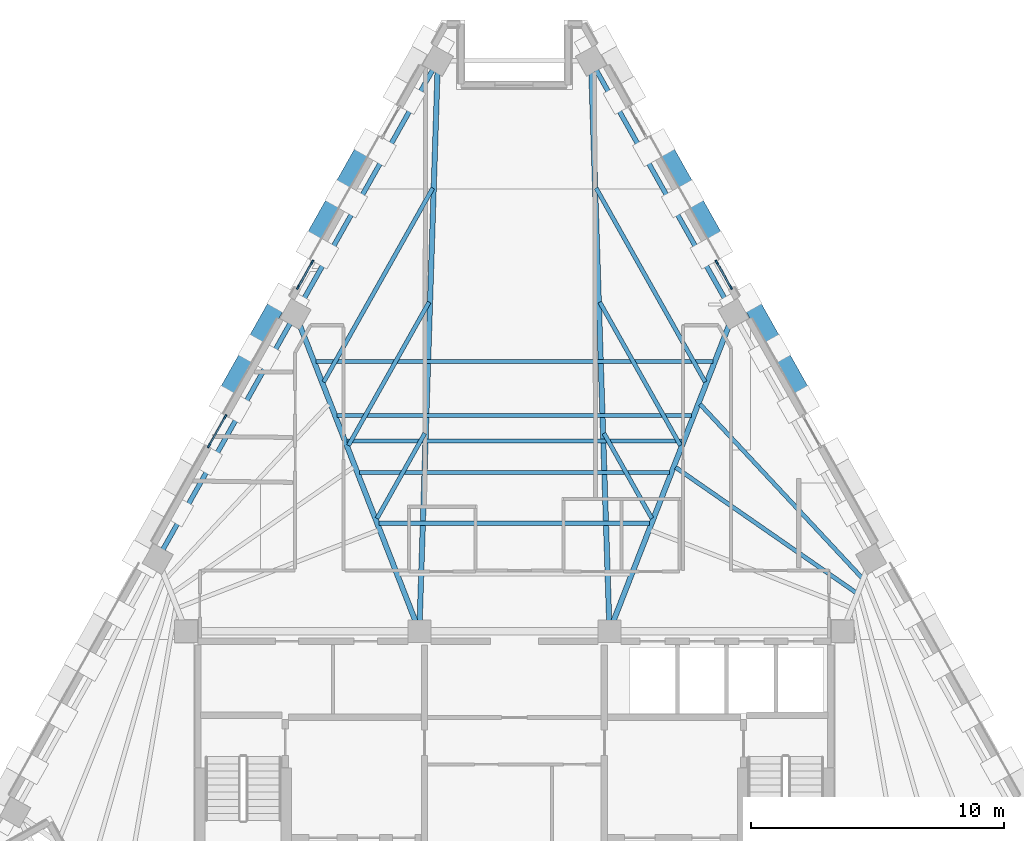
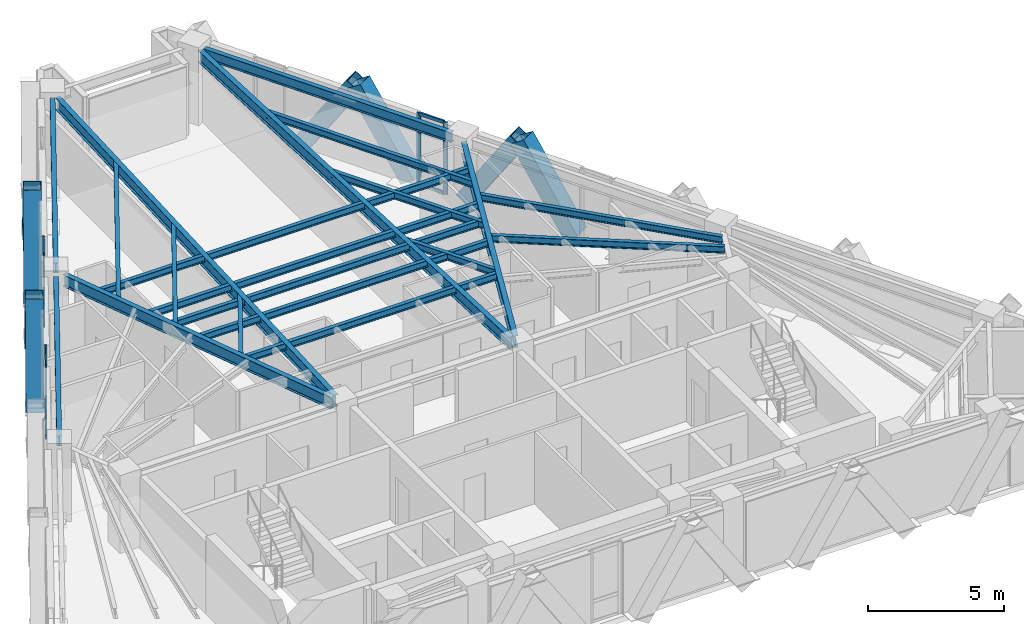
# One storey, part 3 of 12: 23 members, 20 beams, 3 elements without a shape of their own.
"""IFC4 building model written with IfcOpenShell, lengths in metres."""

from ifc_helpers import new_model, si_unit, direction, frame, origin, origin_2d, place, context, subcontext, project, spatial, rectangle, hollow_rectangle, i_section, extrude, material, material_profile, profile_set, type_object, element, aggregate, save


model = new_model("IFC4")

# Units and contexts
model_context = context("Model", 3, precision=1e-05, world=origin(), true_north=direction((0.0, 1.0)))
body_context = subcontext(model_context, "Body", "Model", "MODEL_VIEW")
ifc_project = project(units=[si_unit("LENGTHUNIT", "METRE"), si_unit("AREAUNIT", "SQUARE_METRE"), si_unit("VOLUMEUNIT", "CUBIC_METRE"), si_unit("PLANEANGLEUNIT", "RADIAN"), si_unit("MASSUNIT", "GRAM", prefix="KILO")], contexts=[model_context])

# Site, building, storey
site_placement = place(None, origin())
site = spatial("IfcSite", under=ifc_project, at=site_placement, CompositionType="ELEMENT")
building_placement = place(site_placement, origin())
building = spatial("IfcBuilding", under=site, at=building_placement, Name="Quenlor Broadcast Tower", CompositionType="ELEMENT")
storey_placement = place(building_placement, frame((0.0, 0.0, 197.39990234375)))
storey = spatial("IfcBuildingStorey", under=building, at=storey_placement, Name="L54", CompositionType="ELEMENT", Elevation=197.39990234375)

# Curtain wall, members
ifc_material_1 = material(Name="Architectural Terracotta and Low-E Glazing", Category="masonry")
curtain_wall_type = type_object("IfcCurtainWallType", Name="Unitised Terracotta Curtain Wall System Z4", PredefinedType="NOTDEFINED", material=ifc_material_1)
curtain_wall_1_placement = place(storey_placement, origin())
curtain_wall_1 = element("IfcCurtainWall", 1, at=curtain_wall_1_placement, inside=storey, type_object=curtain_wall_type, Name="L54 Curtain Wall CW4 (L54-NEA-G2)", PredefinedType="NOTDEFINED")
ifc_material_2 = material(Name="Aluminium 6063-T6", Category="aluminium")
ifc_material_profile_1 = material_profile(ifc_material_2, rectangle(XDim=0.068115234375, YDim=0.179931640625, at=origin_2d()))
ifc_profile_set_1 = profile_set([ifc_material_profile_1], Name="Aluminium 6063-T6 MULL68x180")
member_type_1 = type_object("IfcMemberType", Name="CW4 Aluminium Mullion MULL_CW4", PredefinedType="MULLION", material=ifc_profile_set_1)
member_1_placement = place(storey_placement, frame((7.979248046875, 9.755859375, 0.0), z_axis=(0.0, 0.0, 1.0), x_axis=(0.871557755022, 0.490292850918, 0.0)))
member_1 = element("IfcMember", 2, at=member_1_placement, type_object=member_type_1, Name="CW4 mullion 1", PredefinedType="MULLION", context=body_context, shape_type="SweptSolid", body=[
    extrude(rectangle(XDim=0.068115234375, YDim=0.179931640625, at=origin_2d()), origin(), (0.0, 0.0, 1.0), 3.25),
])
member_2_placement = place(storey_placement, frame((8.534912109375, 8.767822265625, 0.0), z_axis=(0.0, 0.0, 1.0), x_axis=(0.871557755022, 0.490292850918, 0.0)))
member_2 = element("IfcMember", 3, at=member_2_placement, type_object=member_type_1, Name="CW4 mullion 2", PredefinedType="MULLION", context=body_context, shape_type="SweptSolid", body=[
    extrude(rectangle(XDim=0.068115234375, YDim=0.179931640625, at=origin_2d()), origin(), (0.0, 0.0, 1.0), 3.25),
])

curtain_wall_2_placement = place(storey_placement, origin())
curtain_wall_2 = element("IfcCurtainWall", 4, at=curtain_wall_2_placement, inside=storey, type_object=curtain_wall_type, Name="L54 Curtain Wall CW4 (L54-NWC-G1)", PredefinedType="NOTDEFINED")
member_3_placement = place(storey_placement, frame((-8.534912109375, 8.767822265625, 0.0), z_axis=(0.0, 0.0, 1.0), x_axis=(-0.871557755022, 0.490292850918, 0.0)))
member_3 = element("IfcMember", 5, at=member_3_placement, type_object=member_type_1, Name="CW4 mullion 1", PredefinedType="MULLION", context=body_context, shape_type="SweptSolid", body=[
    extrude(rectangle(XDim=0.068115234375, YDim=0.179931640625, at=origin_2d()), origin(), (0.0, 0.0, 1.0), 3.25),
])
member_4_placement = place(storey_placement, frame((-7.979248046875, 9.755859375, 0.0), z_axis=(0.0, 0.0, 1.0), x_axis=(-0.871557755022, 0.490292850918, 0.0)))
member_4 = element("IfcMember", 6, at=member_4_placement, type_object=member_type_1, Name="CW4 mullion 2", PredefinedType="MULLION", context=body_context, shape_type="SweptSolid", body=[
    extrude(rectangle(XDim=0.068115234375, YDim=0.179931640625, at=origin_2d()), origin(), (0.0, 0.0, 1.0), 3.25),
])

curtain_wall_3_placement = place(storey_placement, origin())
curtain_wall_3 = element("IfcCurtainWall", 7, at=curtain_wall_3_placement, inside=storey, type_object=curtain_wall_type, Name="L54 Curtain Wall CW4 (L54-NW-G1)", PredefinedType="NOTDEFINED")
member_5_placement = place(storey_placement, frame((-12.049560546875, 2.519775390625, 0.0), z_axis=(0.0, 0.0, 1.0), x_axis=(-0.871560008943, 0.490288844266, 0.0)))
member_5 = element("IfcMember", 8, at=member_5_placement, type_object=member_type_1, Name="CW4 mullion 1", PredefinedType="MULLION", context=body_context, shape_type="SweptSolid", body=[
    extrude(rectangle(XDim=0.068115234375, YDim=0.179931640625, at=origin_2d()), origin(), (0.0, 0.0, 1.0), 3.25),
])
member_6_placement = place(storey_placement, frame((-11.408203125, 3.65966796875, 0.0), z_axis=(0.0, 0.0, 1.0), x_axis=(-0.871560008943, 0.490288844266, 0.0)))
member_6 = element("IfcMember", 9, at=member_6_placement, type_object=member_type_1, Name="CW4 mullion 2", PredefinedType="MULLION", context=body_context, shape_type="SweptSolid", body=[
    extrude(rectangle(XDim=0.068115234375, YDim=0.179931640625, at=origin_2d()), origin(), (0.0, 0.0, 1.0), 3.25),
])

# Member
ifc_material_3 = material(Name="Aluminium 6063-T6", Category="aluminium")
ifc_material_profile_2 = material_profile(ifc_material_3, rectangle(XDim=0.068115234375, YDim=0.14990234375, at=origin_2d()))
ifc_profile_set_2 = profile_set([ifc_material_profile_2], Name="Aluminium 6063-T6 TRAN68x150")
member_type_2 = type_object("IfcMemberType", Name="CW4 Aluminium Transom TRAN_CW4", PredefinedType="USERDEFINED", material=ifc_profile_set_2)
member_7_placement = place(storey_placement, frame((7.995849609375, 9.72607421875, 0.0341796875), z_axis=(0.490304750356, -0.871551060913, 0.0), x_axis=(0.871551060913, 0.490304750356, 0.0)))
member_7 = element("IfcMember", 10, at=member_7_placement, type_object=member_type_2, Name="CW4 transom 1.1", ObjectType="TRANSOM", PredefinedType="USERDEFINED", context=body_context, shape_type="SweptSolid", body=[
    extrude(rectangle(XDim=0.068115234375, YDim=0.14990234375, at=origin_2d()), origin(), (0.0, 0.0, 1.0), 1.065673828125),
])

member_8_placement = place(storey_placement, frame((7.995849609375, 9.72607421875, 0.9501953125), z_axis=(0.490304750356, -0.871551060913, 0.0), x_axis=(0.871551060913, 0.490304750356, 0.0)))
member_8 = element("IfcMember", 11, at=member_8_placement, type_object=member_type_2, Name="CW4 transom 1.2", ObjectType="TRANSOM", PredefinedType="USERDEFINED", context=body_context, shape_type="SweptSolid", body=[
    extrude(rectangle(XDim=0.068115234375, YDim=0.14990234375, at=origin_2d()), origin(), (0.0, 0.0, 1.0), 1.065673828125),
])

member_9_placement = place(storey_placement, frame((7.995849609375, 9.72607421875, 3.216064453125), z_axis=(0.490304750356, -0.871551060913, 0.0), x_axis=(0.871551060913, 0.490304750356, 0.0)))
member_9 = element("IfcMember", 12, at=member_9_placement, type_object=member_type_2, Name="CW4 transom 1.3", ObjectType="TRANSOM", PredefinedType="USERDEFINED", context=body_context, shape_type="SweptSolid", body=[
    extrude(rectangle(XDim=0.068115234375, YDim=0.14990234375, at=origin_2d()), origin(), (0.0, 0.0, 1.0), 1.065673828125),
])

aggregate(curtain_wall_1, [member_1, member_2, member_7, member_8, member_9])

member_10_placement = place(storey_placement, frame((-8.518310546875, 8.79736328125, 0.0341796875), z_axis=(0.490304750356, 0.871551060913, 0.0), x_axis=(-0.871551060913, 0.490304750356, 0.0)))
member_10 = element("IfcMember", 13, at=member_10_placement, type_object=member_type_2, Name="CW4 transom 1.1", ObjectType="TRANSOM", PredefinedType="USERDEFINED", context=body_context, shape_type="SweptSolid", body=[
    extrude(rectangle(XDim=0.068115234375, YDim=0.14990234375, at=origin_2d()), origin(), (0.0, 0.0, 1.0), 1.065673828125),
])

member_11_placement = place(storey_placement, frame((-8.518310546875, 8.79736328125, 0.9501953125), z_axis=(0.490304750356, 0.871551060913, 0.0), x_axis=(-0.871551060913, 0.490304750356, 0.0)))
member_11 = element("IfcMember", 14, at=member_11_placement, type_object=member_type_2, Name="CW4 transom 1.2", ObjectType="TRANSOM", PredefinedType="USERDEFINED", context=body_context, shape_type="SweptSolid", body=[
    extrude(rectangle(XDim=0.068115234375, YDim=0.14990234375, at=origin_2d()), origin(), (0.0, 0.0, 1.0), 1.065673828125),
])

member_12_placement = place(storey_placement, frame((-8.518310546875, 8.79736328125, 3.216064453125), z_axis=(0.490304750356, 0.871551060913, 0.0), x_axis=(-0.871551060913, 0.490304750356, 0.0)))
member_12 = element("IfcMember", 15, at=member_12_placement, type_object=member_type_2, Name="CW4 transom 1.3", ObjectType="TRANSOM", PredefinedType="USERDEFINED", context=body_context, shape_type="SweptSolid", body=[
    extrude(rectangle(XDim=0.068115234375, YDim=0.14990234375, at=origin_2d()), origin(), (0.0, 0.0, 1.0), 1.065673828125),
])

aggregate(curtain_wall_2, [member_3, member_4, member_10, member_11, member_12])

member_13_placement = place(storey_placement, frame((-12.032958984375, 2.54931640625, 0.0341796875), z_axis=(0.490233197009, 0.871591310506, 0.0), x_axis=(-0.871591310506, 0.490233197009, 0.0)))
member_13 = element("IfcMember", 16, at=member_13_placement, type_object=member_type_2, Name="CW4 transom 1.1", ObjectType="TRANSOM", PredefinedType="USERDEFINED", context=body_context, shape_type="SweptSolid", body=[
    extrude(rectangle(XDim=0.068115234375, YDim=0.14990234375, at=origin_2d()), origin(), (0.0, 0.0, 1.0), 1.239990234375),
])

member_14_placement = place(storey_placement, frame((-12.032958984375, 2.54931640625, 0.9501953125), z_axis=(0.490233197009, 0.871591310506, 0.0), x_axis=(-0.871591310506, 0.490233197009, 0.0)))
member_14 = element("IfcMember", 17, at=member_14_placement, type_object=member_type_2, Name="CW4 transom 1.2", ObjectType="TRANSOM", PredefinedType="USERDEFINED", context=body_context, shape_type="SweptSolid", body=[
    extrude(rectangle(XDim=0.068115234375, YDim=0.14990234375, at=origin_2d()), origin(), (0.0, 0.0, 1.0), 1.239990234375),
])

member_15_placement = place(storey_placement, frame((-12.032958984375, 2.54931640625, 3.216064453125), z_axis=(0.490233197009, 0.871591310506, 0.0), x_axis=(-0.871591310506, 0.490233197009, 0.0)))
member_15 = element("IfcMember", 18, at=member_15_placement, type_object=member_type_2, Name="CW4 transom 1.3", ObjectType="TRANSOM", PredefinedType="USERDEFINED", context=body_context, shape_type="SweptSolid", body=[
    extrude(rectangle(XDim=0.068115234375, YDim=0.14990234375, at=origin_2d()), origin(), (0.0, 0.0, 1.0), 1.239990234375),
])

aggregate(curtain_wall_3, [member_5, member_6, member_13, member_14, member_15])

# Members
ifc_material_4 = material(Name="Steel S355", Category="steel")
ifc_material_profile_3 = material_profile(ifc_material_4, hollow_rectangle(XDim=0.679931640625, YDim=0.679931640625, WallThickness=0.02490234375, at=origin_2d()))
ifc_profile_set_3 = profile_set([ifc_material_profile_3], Name="Steel S355 RHS680x680x25")
member_type_3 = type_object("IfcMemberType", Name="Perimeter Diagonal Lattice Brace Z3-Z4 Steel S355 RHS680x25", PredefinedType="BRACE", material=ifc_profile_set_3)
member_16_placement = place(storey_placement, frame((5.79345703125, 14.447509765625, -0.119873046875), z_axis=(0.269485495908, -0.479188912076, 0.835317636614), x_axis=(0.871620820774, 0.490180726664, 0.0)))
element("IfcMember", 19, at=member_16_placement, inside=storey, type_object=member_type_3, Name="L54 Perimeter Diamond Lattice NE-C1S", PredefinedType="BRACE", context=body_context, shape_type="SweptSolid", body=[
    extrude(hollow_rectangle(XDim=0.679931640625, YDim=0.679931640625, WallThickness=0.02490234375, at=origin_2d()), origin(), (0.0, 0.0, 1.0), 4.18994140625),
])
member_17_placement = place(storey_placement, frame((9.222412109375, 8.351318359375, -0.119873046875), z_axis=(0.269539530269, -0.479181387144, 0.835304519224), x_axis=(0.871575537125, 0.490261239633, 0.0)))
element("IfcMember", 20, at=member_17_placement, inside=storey, type_object=member_type_3, Name="L54 Perimeter Diamond Lattice NE-C2S", PredefinedType="BRACE", context=body_context, shape_type="SweptSolid", body=[
    extrude(hollow_rectangle(XDim=0.679931640625, YDim=0.679931640625, WallThickness=0.02490234375, at=origin_2d()), origin(), (0.0, 0.0, 1.0), 4.190185546875),
])
for number, where, z_axis, x_axis, name in (
    (21, (8.065673828125, 10.40771484375, -0.119873046875), (-0.269547055694, 0.479136497832, 0.835327840559), (-0.871550060774, -0.49030652817, 0.0), "L54 Perimeter Diamond Lattice NE-C2B"),
    (22, (11.494873046875, 4.3115234375, -0.119873046875), (-0.269547055694, 0.479136497832, 0.835327840559), (-0.871550060774, -0.49030652817, 0.0), "L54 Perimeter Diamond Lattice NE-C3B"),
    (23, (-11.494873046875, 4.3115234375, -0.119873046875), (0.269547055694, 0.479136497832, 0.835327840559), (-0.871550060774, 0.49030652817, 0.0), "L54 Perimeter Diamond Lattice NW-C3S"),
    (24, (-8.065673828125, 10.40771484375, -0.119873046875), (0.269547055694, 0.479136497832, 0.835327840559), (-0.871550060774, 0.49030652817, 0.0), "L54 Perimeter Diamond Lattice NW-C4S"),
):
    element("IfcMember", number, at=place(storey_placement, frame(where, z_axis=z_axis, x_axis=x_axis)), inside=storey, type_object=member_type_3, Name=name, PredefinedType="BRACE", context=body_context, shape_type="SweptSolid", body=[
        extrude(hollow_rectangle(XDim=0.679931640625, YDim=0.679931640625, WallThickness=0.02490234375, at=origin_2d()), origin(), (0.0, 0.0, 1.0), 4.18994140625),
    ])
member_18_placement = place(storey_placement, frame((-9.222412109375, 8.351318359375, -0.119873046875), z_axis=(-0.269539530269, -0.479181387144, 0.835304519224), x_axis=(0.871575537125, -0.490261239633, 0.0)))
element("IfcMember", 25, at=member_18_placement, inside=storey, type_object=member_type_3, Name="L54 Perimeter Diamond Lattice NW-C4B", PredefinedType="BRACE", context=body_context, shape_type="SweptSolid", body=[
    extrude(hollow_rectangle(XDim=0.679931640625, YDim=0.679931640625, WallThickness=0.02490234375, at=origin_2d()), origin(), (0.0, 0.0, 1.0), 4.190185546875),
])
member_19_placement = place(storey_placement, frame((-5.79345703125, 14.447509765625, -0.119873046875), z_axis=(-0.269485495908, -0.479188912076, 0.835317636614), x_axis=(0.871620820774, -0.490180726664, 0.0)))
element("IfcMember", 26, at=member_19_placement, inside=storey, type_object=member_type_3, Name="L54 Perimeter Diamond Lattice NW-C5B", PredefinedType="BRACE", context=body_context, shape_type="SweptSolid", body=[
    extrude(hollow_rectangle(XDim=0.679931640625, YDim=0.679931640625, WallThickness=0.02490234375, at=origin_2d()), origin(), (0.0, 0.0, 1.0), 4.18994140625),
])

# Beams
ifc_material_5 = material(Name="Steel S355", Category="steel")
ifc_material_profile_4 = material_profile(ifc_material_5, i_section(OverallWidth=0.18994140625, OverallDepth=0.453857421875, WebThickness=0.008544921875, FlangeThickness=0.0126953125, FilletRadius=0.011474609375, at=origin_2d()))
ifc_profile_set_4 = profile_set([ifc_material_profile_4], Name="Steel S355 460UB67.1")
beam_type_1 = type_object("IfcBeamType", Name="Perimeter Spandrel Beam Z4 Steel S355 460UB67.1", PredefinedType="SPANDREL", material=ifc_profile_set_4)
for number, where, z_axis, x_axis, name in (
    (27, (8.438720703125, 8.072265625, 3.023193359375), (-0.490281935429, 0.871563895415, 0.0), (-0.871563895415, -0.490281935429, 0.0), "L54 Spandrel Beam NE3-NE4"),
    (28, (-3.221435546875, 17.346923828125, 3.023193359375), (-0.490281935429, -0.871563895415, 0.0), (0.871563895415, -0.490281935429, 0.0), "L54 Spandrel Beam NW1-NW2"),
):
    element("IfcBeam", number, at=place(storey_placement, frame(where, z_axis=z_axis, x_axis=x_axis)), inside=storey, type_object=beam_type_1, Name=name, PredefinedType="SPANDREL", context=body_context, shape_type="SweptSolid", body=[
        extrude(i_section(OverallWidth=0.18994140625, OverallDepth=0.453857421875, WebThickness=0.008544921875, FlangeThickness=0.0126953125, FilletRadius=0.011474609375, at=origin_2d()), origin(), (0.0, 0.0, 1.0), 10.641357421875),
    ])
beam_1_placement = place(storey_placement, frame((-8.840576171875, 7.357666015625, 3.023193359375), z_axis=(-0.490263496537, -0.871574267612, 0.0), x_axis=(0.871574267612, -0.490263496537, 0.0)))
element("IfcBeam", 29, at=beam_1_placement, inside=storey, type_object=beam_type_1, Name="L54 Spandrel Beam NW2-NW3", PredefinedType="SPANDREL", context=body_context, shape_type="SweptSolid", body=[
    extrude(i_section(OverallWidth=0.18994140625, OverallDepth=0.453857421875, WebThickness=0.008544921875, FlangeThickness=0.0126953125, FilletRadius=0.011474609375, at=origin_2d()), origin(), (0.0, 0.0, 1.0), 10.271728515625),
])
ifc_material_6 = material(Name="Steel S355", Category="steel")
ifc_material_profile_5 = material_profile(ifc_material_6, i_section(OverallWidth=0.166015625, OverallDepth=0.30712890625, WebThickness=0.006591796875, FlangeThickness=0.01171875, FilletRadius=0.011474609375, at=origin_2d()))
ifc_profile_set_5 = profile_set([ifc_material_profile_5], Name="Steel S355 310UB46.2")
beam_type_2 = type_object("IfcBeamType", Name="Tower Composite Joist Z4-Z5 Steel S355 310UB46.2", PredefinedType="JOIST", material=ifc_profile_set_5)
beam_2_placement = place(storey_placement, frame((-6.603759765625, 2.708984375, 3.096435546875), z_axis=(1.0, 0.0, 0.0), x_axis=(0.0, 1.0, 0.0)))
element("IfcBeam", 30, at=beam_2_placement, inside=storey, type_object=beam_type_2, Name="L54 Secondary Composite Joist 2", PredefinedType="JOIST", context=body_context, shape_type="SweptSolid", body=[
    extrude(i_section(OverallWidth=0.166015625, OverallDepth=0.30712890625, WebThickness=0.006591796875, FlangeThickness=0.01171875, FilletRadius=0.011474609375, at=origin_2d()), origin(), (0.0, 0.0, 1.0), 13.20751953125),
])
beam_3_placement = place(storey_placement, frame((-5.33251953125, -0.544921875, 3.096435546875), z_axis=(1.0, 0.0, 0.0), x_axis=(0.0, 1.0, 0.0)))
element("IfcBeam", 31, at=beam_3_placement, inside=storey, type_object=beam_type_2, Name="L54 Secondary Composite Joist 3", PredefinedType="JOIST", context=body_context, shape_type="SweptSolid", body=[
    extrude(i_section(OverallWidth=0.166015625, OverallDepth=0.30712890625, WebThickness=0.006591796875, FlangeThickness=0.01171875, FilletRadius=0.011474609375, at=origin_2d()), origin(), (0.0, 0.0, 1.0), 10.6650390625),
])
beam_4_placement = place(storey_placement, frame((-6.11474609375, 1.45751953125, 3.096435546875), z_axis=(1.0, 0.0, 0.0), x_axis=(0.0, 1.0, 0.0)))
element("IfcBeam", 32, at=beam_4_placement, inside=storey, type_object=beam_type_2, Name="L54 Secondary Composite Joist 4", PredefinedType="JOIST", context=body_context, shape_type="SweptSolid", body=[
    extrude(i_section(OverallWidth=0.166015625, OverallDepth=0.30712890625, WebThickness=0.006591796875, FlangeThickness=0.01171875, FilletRadius=0.011474609375, at=origin_2d()), origin(), (0.0, 0.0, 1.0), 12.2294921875),
])
beam_5_placement = place(storey_placement, frame((-6.994873046875, 3.710205078125, 3.096435546875), z_axis=(1.0, 0.0, 0.0), x_axis=(0.0, 1.0, 0.0)))
element("IfcBeam", 33, at=beam_5_placement, inside=storey, type_object=beam_type_2, Name="L54 Secondary Composite Joist 5", PredefinedType="JOIST", context=body_context, shape_type="SweptSolid", body=[
    extrude(i_section(OverallWidth=0.166015625, OverallDepth=0.30712890625, WebThickness=0.006591796875, FlangeThickness=0.01171875, FilletRadius=0.011474609375, at=origin_2d()), origin(), (0.0, 0.0, 1.0), 13.98974609375),
])
beam_6_placement = place(storey_placement, frame((-7.826171875, 5.837646484375, 3.096435546875), z_axis=(1.0, 0.0, 0.0), x_axis=(0.0, 1.0, 0.0)))
element("IfcBeam", 34, at=beam_6_placement, inside=storey, type_object=beam_type_2, Name="L54 Secondary Composite Joist 6", PredefinedType="JOIST", context=body_context, shape_type="SweptSolid", body=[
    extrude(i_section(OverallWidth=0.166015625, OverallDepth=0.30712890625, WebThickness=0.006591796875, FlangeThickness=0.01171875, FilletRadius=0.011474609375, at=origin_2d()), origin(), (0.0, 0.0, 1.0), 15.65234375),
])
beam_7_placement = place(storey_placement, frame((13.470458984375, -3.273681640625, 3.096435546875), z_axis=(-0.821539857981, 0.570151086773, 0.0), x_axis=(-0.570151086773, -0.821539857981, 0.0)))
element("IfcBeam", 35, at=beam_7_placement, inside=storey, type_object=beam_type_2, Name="L54 Secondary Composite Joist 11", PredefinedType="JOIST", context=body_context, shape_type="SweptSolid", body=[
    extrude(i_section(OverallWidth=0.166015625, OverallDepth=0.30712890625, WebThickness=0.006591796875, FlangeThickness=0.01171875, FilletRadius=0.011474609375, at=origin_2d()), origin(), (0.0, 0.0, 1.0), 8.656982421875),
])
beam_8_placement = place(storey_placement, frame((13.707275390625, -2.691162109375, 3.096435546875), z_axis=(-0.682034672805, 0.731319837754, 0.0), x_axis=(-0.731319837754, -0.682034672805, 0.0)))
element("IfcBeam", 36, at=beam_8_placement, inside=storey, type_object=beam_type_2, Name="L54 Secondary Composite Joist 12", PredefinedType="JOIST", context=body_context, shape_type="SweptSolid", body=[
    extrude(i_section(OverallWidth=0.166015625, OverallDepth=0.30712890625, WebThickness=0.006591796875, FlangeThickness=0.01171875, FilletRadius=0.011474609375, at=origin_2d()), origin(), (0.0, 0.0, 1.0), 9.357421875),
])
beam_9_placement = place(storey_placement, frame((-3.533935546875, 3.0068359375, 3.096435546875), z_axis=(-0.490243182397, -0.871585694073, 0.0), x_axis=(0.871585694073, -0.490243182397, 0.0)))
element("IfcBeam", 37, at=beam_9_placement, inside=storey, type_object=beam_type_2, Name="L54 Secondary Composite Joist 25", PredefinedType="JOIST", context=body_context, shape_type="SweptSolid", body=[
    extrude(i_section(OverallWidth=0.166015625, OverallDepth=0.30712890625, WebThickness=0.006591796875, FlangeThickness=0.01171875, FilletRadius=0.011474609375, at=origin_2d()), origin(), (0.0, 0.0, 1.0), 3.8515625),
])
beam_10_placement = place(storey_placement, frame((-3.3662109375, 8.182861328125, 3.096435546875), z_axis=(-0.490230865807, -0.871592621705, 0.0), x_axis=(0.871592621705, -0.490230865807, 0.0)))
element("IfcBeam", 38, at=beam_10_placement, inside=storey, type_object=beam_type_2, Name="L54 Secondary Composite Joist 26", PredefinedType="JOIST", context=body_context, shape_type="SweptSolid", body=[
    extrude(i_section(OverallWidth=0.166015625, OverallDepth=0.30712890625, WebThickness=0.006591796875, FlangeThickness=0.01171875, FilletRadius=0.011474609375, at=origin_2d()), origin(), (0.0, 0.0, 1.0), 6.487548828125),
])
beam_11_placement = place(storey_placement, frame((-3.22021484375, 12.68359375, 3.096435546875), z_axis=(-0.490261239633, -0.871575537125, 0.0), x_axis=(0.871575537125, -0.490261239633, 0.0)))
element("IfcBeam", 39, at=beam_11_placement, inside=storey, type_object=beam_type_2, Name="L54 Secondary Composite Joist 27", PredefinedType="JOIST", context=body_context, shape_type="SweptSolid", body=[
    extrude(i_section(OverallWidth=0.166015625, OverallDepth=0.30712890625, WebThickness=0.006591796875, FlangeThickness=0.01171875, FilletRadius=0.011474609375, at=origin_2d()), origin(), (0.0, 0.0, 1.0), 8.77978515625),
])
beam_12_placement = place(storey_placement, frame((3.533935546875, 3.0068359375, 3.096435546875), z_axis=(0.490243182397, -0.871585694073, 0.0), x_axis=(0.871585694073, 0.490243182397, 0.0)))
element("IfcBeam", 40, at=beam_12_placement, inside=storey, type_object=beam_type_2, Name="L54 Secondary Composite Joist 28", PredefinedType="JOIST", context=body_context, shape_type="SweptSolid", body=[
    extrude(i_section(OverallWidth=0.166015625, OverallDepth=0.30712890625, WebThickness=0.006591796875, FlangeThickness=0.01171875, FilletRadius=0.011474609375, at=origin_2d()), origin(), (0.0, 0.0, 1.0), 3.8515625),
])
beam_13_placement = place(storey_placement, frame((3.3662109375, 8.182861328125, 3.096435546875), z_axis=(0.490230865807, -0.871592621705, 0.0), x_axis=(0.871592621705, 0.490230865807, 0.0)))
element("IfcBeam", 41, at=beam_13_placement, inside=storey, type_object=beam_type_2, Name="L54 Secondary Composite Joist 29", PredefinedType="JOIST", context=body_context, shape_type="SweptSolid", body=[
    extrude(i_section(OverallWidth=0.166015625, OverallDepth=0.30712890625, WebThickness=0.006591796875, FlangeThickness=0.01171875, FilletRadius=0.011474609375, at=origin_2d()), origin(), (0.0, 0.0, 1.0), 6.487548828125),
])
beam_14_placement = place(storey_placement, frame((3.22021484375, 12.68359375, 3.096435546875), z_axis=(0.490261239633, -0.871575537125, 0.0), x_axis=(0.871575537125, 0.490261239633, 0.0)))
element("IfcBeam", 42, at=beam_14_placement, inside=storey, type_object=beam_type_2, Name="L54 Secondary Composite Joist 30", PredefinedType="JOIST", context=body_context, shape_type="SweptSolid", body=[
    extrude(i_section(OverallWidth=0.166015625, OverallDepth=0.30712890625, WebThickness=0.006591796875, FlangeThickness=0.01171875, FilletRadius=0.011474609375, at=origin_2d()), origin(), (0.0, 0.0, 1.0), 8.77978515625),
])
ifc_material_7 = material(Name="Steel S355", Category="steel")
ifc_material_profile_6 = material_profile(ifc_material_7, i_section(OverallWidth=0.208984375, OverallDepth=0.5283203125, WebThickness=0.009521484375, FlangeThickness=0.01318359375, FilletRadius=0.013916015625, at=origin_2d()))
ifc_profile_set_6 = profile_set([ifc_material_profile_6], Name="Steel S355 530UB82.0")
beam_type_3 = type_object("IfcBeamType", Name="Tower Primary Floor Beam Z4 Steel S355 530UB82.0", PredefinedType="BEAM", material=ifc_profile_set_6)
beam_15_placement = place(storey_placement, frame((8.490478515625, 7.3330078125, 2.986083984375), z_axis=(-0.363926160921, -0.931427801495, 0.0), x_axis=(0.931427801495, -0.363926160921, 0.0)))
element("IfcBeam", 43, at=beam_15_placement, inside=storey, type_object=beam_type_3, Name="L54 Primary Radial Beam NE3", PredefinedType="BEAM", context=body_context, shape_type="SweptSolid", body=[
    extrude(i_section(OverallWidth=0.208984375, OverallDepth=0.5283203125, WebThickness=0.009521484375, FlangeThickness=0.01318359375, FilletRadius=0.013916015625, at=origin_2d()), origin(), (0.0, 0.0, 1.0), 12.646240234375),
])
for number, where, z_axis, x_axis, name in (
    (44, (3.03369140625, 17.29443359375, 2.986083984375), (0.032408228632, -0.999474715397, 0.0), (0.999474715397, 0.032408228632, 0.0), "L54 Primary Radial Beam NE4"),
    (45, (-3.03369140625, 17.29443359375, 2.986083984375), (-0.032408228632, -0.999474715397, 0.0), (0.999474715397, -0.032408228632, 0.0), "L54 Primary Radial Beam NW1"),
):
    element("IfcBeam", number, at=place(storey_placement, frame(where, z_axis=z_axis, x_axis=x_axis)), inside=storey, type_object=beam_type_3, Name=name, PredefinedType="BEAM", context=body_context, shape_type="SweptSolid", body=[
        extrude(i_section(OverallWidth=0.208984375, OverallDepth=0.5283203125, WebThickness=0.009521484375, FlangeThickness=0.01318359375, FilletRadius=0.013916015625, at=origin_2d()), origin(), (0.0, 0.0, 1.0), 21.72607421875),
    ])
beam_16_placement = place(storey_placement, frame((-8.490478515625, 7.3330078125, 2.986083984375), z_axis=(0.363926160921, -0.931427801495, 0.0), x_axis=(0.931427801495, 0.363926160921, 0.0)))
element("IfcBeam", 46, at=beam_16_placement, inside=storey, type_object=beam_type_3, Name="L54 Primary Radial Beam NW2", PredefinedType="BEAM", context=body_context, shape_type="SweptSolid", body=[
    extrude(i_section(OverallWidth=0.208984375, OverallDepth=0.5283203125, WebThickness=0.009521484375, FlangeThickness=0.01318359375, FilletRadius=0.013916015625, at=origin_2d()), origin(), (0.0, 0.0, 1.0), 12.646240234375),
])

save(model, "model.ifc")
